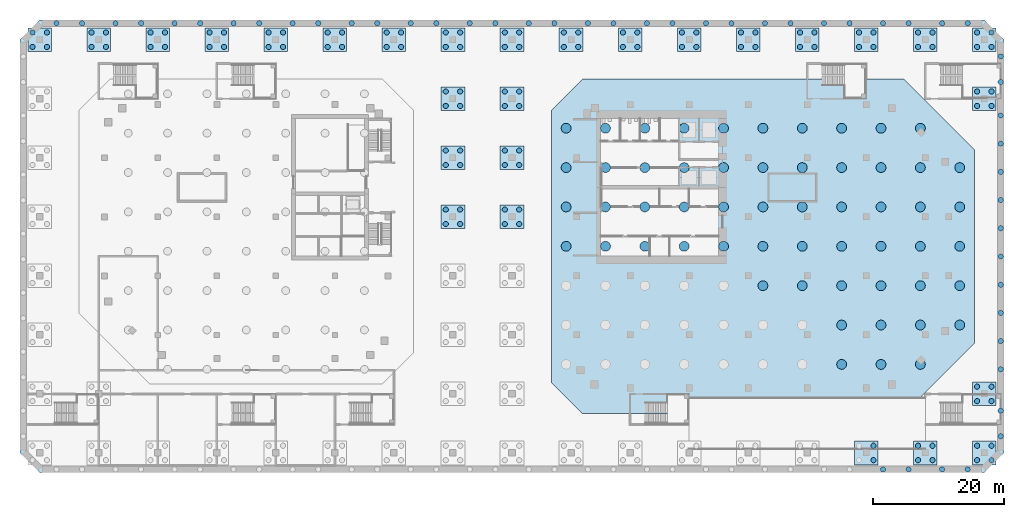
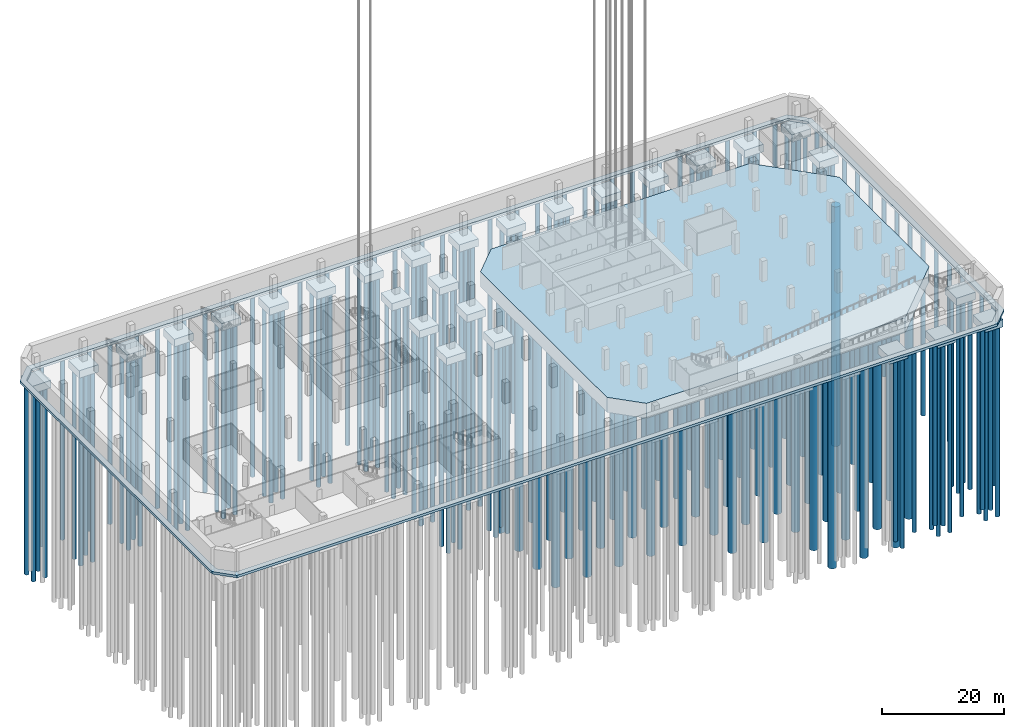
# One storey, part 2 of 30: 216 piles, 30 footings.
"""IFC4 building model written with IfcOpenShell, lengths in metres."""

from ifc_helpers import new_model, si_unit, direction, frame, origin, origin_2d, place, context, subcontext, project, spatial, polyline, circle, outline, extrude, material, layer, layer_set, type_object, element, save


model = new_model("IFC4")

# Units and contexts
model_context = context("Model", 3, precision=1e-05, world=origin(), true_north=direction((0.0, 1.0)))
body_context = subcontext(model_context, "Body", "Model", "MODEL_VIEW")
ifc_project = project(units=[si_unit("LENGTHUNIT", "METRE"), si_unit("AREAUNIT", "SQUARE_METRE"), si_unit("VOLUMEUNIT", "CUBIC_METRE"), si_unit("PLANEANGLEUNIT", "RADIAN"), si_unit("MASSUNIT", "GRAM", prefix="KILO")], contexts=[model_context])

# Site, building, storey
site_placement = place(None, origin())
site = spatial("IfcSite", under=ifc_project, at=site_placement, CompositionType="ELEMENT")
building_placement = place(site_placement, origin())
building = spatial("IfcBuilding", under=site, at=building_placement, Name="Cinnabar Reach Civic Tower", CompositionType="ELEMENT")
storey_placement = place(building_placement, frame((0.0, 0.0, -14.0)))
storey = spatial("IfcBuildingStorey", under=building, at=storey_placement, Name="B3", CompositionType="ELEMENT", Elevation=-14.0)

# Footing
ifc_material = material(Name="Concrete C40", Category="concrete")
ifc_layer_1 = layer(ifc_material, 0.5)
ifc_layer_set_1 = layer_set([ifc_layer_1], Name="Basement wall footing 1000")
footing_type_1 = type_object("IfcFootingType", Name="Basement wall footing 1000", PredefinedType="STRIP_FOOTING", material=ifc_layer_set_1)
footing_1_placement = place(storey_placement, frame((0.0, 0.0, -0.5)))
element("IfcFooting", 1, at=footing_1_placement, inside=storey, type_object=footing_type_1, Name="Basement wall strip footing", PredefinedType="STRIP_FOOTING", context=body_context, shape_type="SweptSolid", body=[
    extrude(outline(polyline([(-84.0, -9.0), (-84.0, 54.0), (-81.0, 57.0), (63.0, 57.0), (66.0, 54.0), (66.0, -9.0), (63.0, -12.0), (-81.0, -12.0), (-84.0, -9.0)]), holes=[polyline([(62.5858, -11.0), (65.0, -8.5858), (65.0, 53.5858), (62.5858, 56.0), (-80.5858, 56.0), (-83.0, 53.5858), (-83.0, -8.5858), (-80.5858, -11.0), (62.5858, -11.0)])]), origin(), (0.0, 0.0, 1.0), 0.5),
])

# Piles
pile_type_1 = type_object("IfcPileType", Name="Bored pile D1500", PredefinedType="BORED", material=ifc_material)
for number, where, z_axis, x_axis, name in (
    (2, (-0.75, 22.5, -3.0), (0.0, 0.0, -1.0), (1.0, 0.0, 0.0), "Raft pile T1 4"),
    (3, (-0.75, 28.5, -3.0), (0.0, 0.0, -1.0), (1.0, 0.0, 0.0), "Raft pile T1 5"),
    (4, (-0.75, 34.5, -3.0), (0.0, 0.0, -1.0), (1.0, 0.0, 0.0), "Raft pile T1 6"),
    (5, (-0.75, 40.5, -3.0), (0.0, 0.0, -1.0), (1.0, 0.0, 0.0), "Raft pile T1 7"),
    (6, (5.25, 22.5, -3.0), (0.0, 0.0, -1.0), (1.0, 0.0, 0.0), "Raft pile T1 11"),
    (7, (5.25, 28.5, -3.0), (0.0, 0.0, -1.0), (1.0, 0.0, 0.0), "Raft pile T1 12"),
    (8, (5.25, 34.5, -3.0), (0.0, 0.0, -1.0), (1.0, 0.0, 0.0), "Raft pile T1 13"),
    (9, (5.25, 40.5, -3.0), (0.0, 0.0, -1.0), (1.0, 0.0, 0.0), "Raft pile T1 14"),
    (10, (11.25, 22.5, -3.0), (0.0, 0.0, -1.0), (1.0, 0.0, 0.0), "Raft pile T1 18"),
    (11, (11.25, 28.5, -3.0), (0.0, 0.0, -1.0), (1.0, 0.0, 0.0), "Raft pile T1 19"),
    (12, (11.25, 34.5, -3.0), (0.0, 0.0, -1.0), (1.0, 0.0, 0.0), "Raft pile T1 20"),
    (13, (11.25, 40.5, -3.0), (0.0, 0.0, -1.0), (1.0, 0.0, 0.0), "Raft pile T1 21"),
    (14, (17.25, 22.5, -3.0), (0.0, 0.0, -1.0), (1.0, 0.0, 0.0), "Raft pile T1 25"),
    (15, (17.25, 28.5, -3.0), (0.0, 0.0, -1.0), (1.0, 0.0, 0.0), "Raft pile T1 26"),
    (16, (17.25, 34.5, -3.0), (0.0, 0.0, -1.0), (1.0, 0.0, 0.0), "Raft pile T1 27"),
    (17, (17.25, 40.5, -3.0), (0.0, 0.0, -1.0), (1.0, 0.0, 0.0), "Raft pile T1 28"),
    (18, (23.25, 22.5, -3.0), (0.0, 0.0, -1.0), (1.0, 0.0, 0.0), "Raft pile T1 32"),
    (19, (23.25, 28.5, -3.0), (0.0, 0.0, -1.0), (1.0, 0.0, 0.0), "Raft pile T1 33"),
    (20, (23.25, 34.5, -3.0), (0.0, 0.0, -1.0), (1.0, 0.0, 0.0), "Raft pile T1 34"),
    (21, (23.25, 40.5, -3.0), (0.0, 0.0, -1.0), (1.0, 0.0, 0.0), "Raft pile T1 35"),
    (22, (29.25, 16.5, -3.0), (0.0, 0.0, -1.0), (1.0, 0.0, 0.0), "Raft pile T1 38"),
    (23, (29.25, 22.5, -3.0), (0.0, 0.0, -1.0), (1.0, 0.0, 0.0), "Raft pile T1 39"),
    (24, (29.25, 28.5, -3.0), (0.0, 0.0, -1.0), (1.0, 0.0, 0.0), "Raft pile T1 40"),
    (25, (29.25, 34.5, -3.0), (0.0, 0.0, -1.0), (1.0, 0.0, 0.0), "Raft pile T1 41"),
    (26, (29.25, 40.5, -3.0), (0.0, 0.0, -1.0), (1.0, 0.0, 0.0), "Raft pile T1 42"),
    (27, (35.25, 16.5, -3.0), (0.0, 0.0, -1.0), (1.0, 0.0, 0.0), "Raft pile T1 45"),
    (28, (35.25, 22.5, -3.0), (0.0, 0.0, -1.0), (1.0, 0.0, 0.0), "Raft pile T1 46"),
    (29, (35.25, 28.5, -3.0), (0.0, 0.0, -1.0), (1.0, 0.0, 0.0), "Raft pile T1 47"),
    (30, (35.25, 34.5, -3.0), (0.0, 0.0, -1.0), (1.0, 0.0, 0.0), "Raft pile T1 48"),
    (31, (35.25, 40.5, -3.0), (0.0, 0.0, -1.0), (1.0, 0.0, 0.0), "Raft pile T1 49"),
    (32, (41.25, 4.5, -3.0), (0.0, 0.0, -1.0), (1.0, 0.0, 0.0), "Raft pile T1 50"),
    (33, (41.25, 10.5, -3.0), (0.0, 0.0, -1.0), (1.0, 0.0, 0.0), "Raft pile T1 51"),
    (34, (41.25, 16.5, -3.0), (0.0, 0.0, -1.0), (1.0, 0.0, 0.0), "Raft pile T1 52"),
    (35, (41.25, 22.5, -3.0), (0.0, 0.0, -1.0), (1.0, 0.0, 0.0), "Raft pile T1 53"),
    (36, (41.25, 28.5, -3.0), (0.0, 0.0, -1.0), (1.0, 0.0, 0.0), "Raft pile T1 54"),
    (37, (41.25, 34.5, -3.0), (0.0, 0.0, -1.0), (1.0, 0.0, 0.0), "Raft pile T1 55"),
    (38, (41.25, 40.5, -3.0), (0.0, 0.0, -1.0), (1.0, 0.0, 0.0), "Raft pile T1 56"),
    (39, (47.25, 4.5, -3.0), (0.0, 0.0, -1.0), (1.0, 0.0, 0.0), "Raft pile T1 57"),
    (40, (47.25, 10.5, -3.0), (0.0, 0.0, -1.0), (1.0, 0.0, 0.0), "Raft pile T1 58"),
    (41, (47.25, 16.5, -3.0), (0.0, 0.0, -1.0), (1.0, 0.0, 0.0), "Raft pile T1 59"),
    (42, (47.25, 22.5, -3.0), (0.0, 0.0, -1.0), (1.0, 0.0, 0.0), "Raft pile T1 60"),
    (43, (47.25, 28.5, -3.0), (0.0, 0.0, -1.0), (1.0, 0.0, 0.0), "Raft pile T1 61"),
    (44, (47.25, 34.5, -3.0), (0.0, 0.0, -1.0), (1.0, 0.0, 0.0), "Raft pile T1 62"),
    (45, (47.25, 40.5, -3.0), (0.0, 0.0, -1.0), (1.0, 0.0, 0.0), "Raft pile T1 63"),
    (46, (53.25, 4.5, -3.0), (0.0, 0.0, -1.0), (1.0, 0.0, 0.0), "Raft pile T1 64"),
    (47, (53.25, 10.5, -3.0), (0.0, 0.0, -1.0), (1.0, 0.0, 0.0), "Raft pile T1 65"),
    (48, (53.25, 16.5, -3.0), (0.0, 0.0, -1.0), (1.0, 0.0, 0.0), "Raft pile T1 66"),
    (49, (53.25, 22.5, -3.0), (0.0, 0.0, -1.0), (1.0, 0.0, 0.0), "Raft pile T1 67"),
    (50, (53.25, 28.5, -3.0), (0.0, 0.0, -1.0), (1.0, 0.0, 0.0), "Raft pile T1 68"),
    (51, (53.25, 34.5, -3.0), (0.0, 0.0, -1.0), (1.0, 0.0, 0.0), "Raft pile T1 69"),
    (52, (53.25, 40.5, -3.0), (0.0, 0.0, -1.0), (1.0, 0.0, 0.0), "Raft pile T1 70"),
    (53, (59.25, 10.5, -3.0), (0.0, 0.0, -1.0), (1.0, 0.0, 0.0), "Raft pile T1 71"),
    (54, (59.25, 16.5, -3.0), (0.0, 0.0, -1.0), (1.0, 0.0, 0.0), "Raft pile T1 72"),
    (55, (59.25, 22.5, -3.0), (0.0, 0.0, -1.0), (1.0, 0.0, 0.0), "Raft pile T1 73"),
    (56, (59.25, 28.5, -3.0), (0.0, 0.0, -1.0), (1.0, 0.0, 0.0), "Raft pile T1 74"),
    (57, (59.25, 34.5, -3.0), (0.0, 0.0, -1.0), (1.0, 0.0, 0.0), "Raft pile T1 75"),
):
    element("IfcPile", number, at=place(storey_placement, frame(where, z_axis=z_axis, x_axis=x_axis)), inside=storey, type_object=pile_type_1, Name=name, PredefinedType="BORED", context=body_context, shape_type="SweptSolid", body=[
        extrude(circle(Radius=0.75, at=origin_2d()), origin(), (0.0, 0.0, 1.0), 48.0),
    ])
pile_type_2 = type_object("IfcPileType", Name="Bored pile D800", PredefinedType="BORED", material=ifc_material)
for number, where, z_axis, x_axis, name in (
    (58, (-78.436, 56.5, -0.5), (0.0, 0.0, -1.0), (1.0, 0.0, 0.0), "Wall pile 4.1"),
    (59, (-74.536, 56.5, -0.5), (0.0, 0.0, -1.0), (1.0, 0.0, 0.0), "Wall pile 4.2"),
    (60, (-69.436, 56.5, -0.5), (0.0, 0.0, -1.0), (1.0, 0.0, 0.0), "Wall pile 4.3"),
    (61, (-65.536, 56.5, -0.5), (0.0, 0.0, -1.0), (1.0, 0.0, 0.0), "Wall pile 4.4"),
    (62, (-60.436, 56.5, -0.5), (0.0, 0.0, -1.0), (1.0, 0.0, 0.0), "Wall pile 4.5"),
    (63, (-56.536, 56.5, -0.5), (0.0, 0.0, -1.0), (1.0, 0.0, 0.0), "Wall pile 4.6"),
    (64, (-51.436, 56.5, -0.5), (0.0, 0.0, -1.0), (1.0, 0.0, 0.0), "Wall pile 4.7"),
    (65, (-47.536, 56.5, -0.5), (0.0, 0.0, -1.0), (1.0, 0.0, 0.0), "Wall pile 4.8"),
    (66, (-42.436, 56.5, -0.5), (0.0, 0.0, -1.0), (1.0, 0.0, 0.0), "Wall pile 4.9"),
    (67, (-38.536, 56.5, -0.5), (0.0, 0.0, -1.0), (1.0, 0.0, 0.0), "Wall pile 4.10"),
    (68, (-33.436, 56.5, -0.5), (0.0, 0.0, -1.0), (1.0, 0.0, 0.0), "Wall pile 4.11"),
    (69, (-29.536, 56.5, -0.5), (0.0, 0.0, -1.0), (1.0, 0.0, 0.0), "Wall pile 4.12"),
    (70, (-24.436, 56.5, -0.5), (0.0, 0.0, -1.0), (1.0, 0.0, 0.0), "Wall pile 4.13"),
    (71, (-20.536, 56.5, -0.5), (0.0, 0.0, -1.0), (1.0, 0.0, 0.0), "Wall pile 4.14"),
    (72, (-15.436, 56.5, -0.5), (0.0, 0.0, -1.0), (1.0, 0.0, 0.0), "Wall pile 4.15"),
    (73, (-11.536, 56.5, -0.5), (0.0, 0.0, -1.0), (1.0, 0.0, 0.0), "Wall pile 4.16"),
    (74, (-6.436, 56.5, -0.5), (0.0, 0.0, -1.0), (1.0, 0.0, 0.0), "Wall pile 4.17"),
    (75, (-2.536, 56.5, -0.5), (0.0, 0.0, -1.0), (1.0, 0.0, 0.0), "Wall pile 4.18"),
    (76, (2.564, 56.5, -0.5), (0.0, 0.0, -1.0), (1.0, 0.0, 0.0), "Wall pile 4.19"),
    (77, (6.464, 56.5, -0.5), (0.0, 0.0, -1.0), (1.0, 0.0, 0.0), "Wall pile 4.20"),
    (78, (11.564, 56.5, -0.5), (0.0, 0.0, -1.0), (1.0, 0.0, 0.0), "Wall pile 4.21"),
    (79, (15.464, 56.5, -0.5), (0.0, 0.0, -1.0), (1.0, 0.0, 0.0), "Wall pile 4.22"),
    (80, (20.564, 56.5, -0.5), (0.0, 0.0, -1.0), (1.0, 0.0, 0.0), "Wall pile 4.23"),
    (81, (24.464, 56.5, -0.5), (0.0, 0.0, -1.0), (1.0, 0.0, 0.0), "Wall pile 4.24"),
    (82, (29.564, 56.5, -0.5), (0.0, 0.0, -1.0), (1.0, 0.0, 0.0), "Wall pile 4.25"),
    (83, (33.464, 56.5, -0.5), (0.0, 0.0, -1.0), (1.0, 0.0, 0.0), "Wall pile 4.26"),
    (84, (38.564, 56.5, -0.5), (0.0, 0.0, -1.0), (1.0, 0.0, 0.0), "Wall pile 4.27"),
    (85, (42.464, 56.5, -0.5), (0.0, 0.0, -1.0), (1.0, 0.0, 0.0), "Wall pile 4.28"),
    (86, (47.564, 56.5, -0.5), (0.0, 0.0, -1.0), (1.0, 0.0, 0.0), "Wall pile 4.29"),
    (87, (51.464, 56.5, -0.5), (0.0, 0.0, -1.0), (1.0, 0.0, 0.0), "Wall pile 4.30"),
    (88, (56.564, 56.5, -0.5), (0.0, 0.0, -1.0), (1.0, 0.0, 0.0), "Wall pile 4.31"),
    (89, (60.464, 56.5, -0.5), (0.0, 0.0, -1.0), (1.0, 0.0, 0.0), "Wall pile 4.32"),
    (90, (65.5, 51.45, -0.5), (0.0, 0.0, -1.0), (1.0, 0.0, 0.0), "Wall pile 6.1"),
    (91, (65.5, 47.55, -0.5), (0.0, 0.0, -1.0), (1.0, 0.0, 0.0), "Wall pile 6.2"),
    (92, (65.5, 42.45, -0.5), (0.0, 0.0, -1.0), (1.0, 0.0, 0.0), "Wall pile 6.3"),
    (93, (65.5, 38.15, -0.5), (0.0, 0.0, -1.0), (1.0, 0.0, 0.0), "Wall pile 6.4"),
    (94, (65.5, 33.85, -0.5), (0.0, 0.0, -1.0), (1.0, 0.0, 0.0), "Wall pile 6.5"),
    (95, (65.5, 29.55, -0.5), (0.0, 0.0, -1.0), (1.0, 0.0, 0.0), "Wall pile 6.6"),
    (96, (65.5, 25.25, -0.5), (0.0, 0.0, -1.0), (1.0, 0.0, 0.0), "Wall pile 6.7"),
    (97, (65.5, 20.95, -0.5), (0.0, 0.0, -1.0), (1.0, 0.0, 0.0), "Wall pile 6.8"),
    (98, (65.5, 16.65, -0.5), (0.0, 0.0, -1.0), (1.0, 0.0, 0.0), "Wall pile 6.9"),
    (99, (65.5, 12.35, -0.5), (0.0, 0.0, -1.0), (1.0, 0.0, 0.0), "Wall pile 6.10"),
    (100, (65.5, 8.05, -0.5), (0.0, 0.0, -1.0), (1.0, 0.0, 0.0), "Wall pile 6.11"),
    (101, (65.5, 3.75, -0.5), (0.0, 0.0, -1.0), (1.0, 0.0, 0.0), "Wall pile 6.12"),
    (102, (65.5, -2.55, -0.5), (0.0, 0.0, -1.0), (1.0, 0.0, 0.0), "Wall pile 6.13"),
    (103, (65.5, -6.45, -0.5), (0.0, 0.0, -1.0), (1.0, 0.0, 0.0), "Wall pile 6.14"),
    (104, (60.464, -11.5, -0.5), (0.0, 0.0, -1.0), (1.0, 0.0, 0.0), "Wall pile 8.2"),
    (105, (56.564, -11.5, -0.5), (0.0, 0.0, -1.0), (1.0, 0.0, 0.0), "Wall pile 8.3"),
    (106, (51.464, -11.5, -0.5), (0.0, 0.0, -1.0), (1.0, 0.0, 0.0), "Wall pile 8.4"),
    (107, (47.564, -11.5, -0.5), (0.0, 0.0, -1.0), (1.0, 0.0, 0.0), "Wall pile 8.5"),
):
    element("IfcPile", number, at=place(storey_placement, frame(where, z_axis=z_axis, x_axis=x_axis)), inside=storey, type_object=pile_type_2, Name=name, PredefinedType="BORED", context=body_context, shape_type="SweptSolid", body=[
        extrude(circle(Radius=0.4, at=origin_2d()), origin(), (0.0, 0.0, 1.0), 36.0),
    ])
for number, where, z_axis, x_axis, name in (
    (108, (-82.1, 52.9, -2.0), (0.0, 0.0, -1.0), (1.0, 0.0, 0.0), "Pile -81/54.1"),
    (109, (-79.9, 52.9, -2.0), (0.0, 0.0, -1.0), (1.0, 0.0, 0.0), "Pile -81/54.2"),
    (110, (-79.9, 55.1, -2.0), (0.0, 0.0, -1.0), (1.0, 0.0, 0.0), "Pile -81/54.3"),
    (111, (-82.1, 55.1, -2.0), (0.0, 0.0, -1.0), (1.0, 0.0, 0.0), "Pile -81/54.4"),
    (112, (-73.1, 52.9, -2.0), (0.0, 0.0, -1.0), (1.0, 0.0, 0.0), "Pile -72/54.1"),
    (113, (-70.9, 52.9, -2.0), (0.0, 0.0, -1.0), (1.0, 0.0, 0.0), "Pile -72/54.2"),
    (114, (-70.9, 55.1, -2.0), (0.0, 0.0, -1.0), (1.0, 0.0, 0.0), "Pile -72/54.3"),
    (115, (-73.1, 55.1, -2.0), (0.0, 0.0, -1.0), (1.0, 0.0, 0.0), "Pile -72/54.4"),
    (116, (-64.1, 52.9, -2.0), (0.0, 0.0, -1.0), (1.0, 0.0, 0.0), "Pile -63/54.1"),
    (117, (-61.9, 52.9, -2.0), (0.0, 0.0, -1.0), (1.0, 0.0, 0.0), "Pile -63/54.2"),
    (118, (-61.9, 55.1, -2.0), (0.0, 0.0, -1.0), (1.0, 0.0, 0.0), "Pile -63/54.3"),
    (119, (-64.1, 55.1, -2.0), (0.0, 0.0, -1.0), (1.0, 0.0, 0.0), "Pile -63/54.4"),
    (120, (-55.1, 52.9, -2.0), (0.0, 0.0, -1.0), (1.0, 0.0, 0.0), "Pile -54/54.1"),
    (121, (-52.9, 52.9, -2.0), (0.0, 0.0, -1.0), (1.0, 0.0, 0.0), "Pile -54/54.2"),
    (122, (-52.9, 55.1, -2.0), (0.0, 0.0, -1.0), (1.0, 0.0, 0.0), "Pile -54/54.3"),
    (123, (-55.1, 55.1, -2.0), (0.0, 0.0, -1.0), (1.0, 0.0, 0.0), "Pile -54/54.4"),
    (124, (-46.1, 52.9, -2.0), (0.0, 0.0, -1.0), (1.0, 0.0, 0.0), "Pile -45/54.1"),
    (125, (-43.9, 52.9, -2.0), (0.0, 0.0, -1.0), (1.0, 0.0, 0.0), "Pile -45/54.2"),
    (126, (-43.9, 55.1, -2.0), (0.0, 0.0, -1.0), (1.0, 0.0, 0.0), "Pile -45/54.3"),
    (127, (-46.1, 55.1, -2.0), (0.0, 0.0, -1.0), (1.0, 0.0, 0.0), "Pile -45/54.4"),
    (128, (-37.1, 52.9, -2.0), (0.0, 0.0, -1.0), (1.0, 0.0, 0.0), "Pile -36/54.1"),
    (129, (-34.9, 52.9, -2.0), (0.0, 0.0, -1.0), (1.0, 0.0, 0.0), "Pile -36/54.2"),
    (130, (-34.9, 55.1, -2.0), (0.0, 0.0, -1.0), (1.0, 0.0, 0.0), "Pile -36/54.3"),
    (131, (-37.1, 55.1, -2.0), (0.0, 0.0, -1.0), (1.0, 0.0, 0.0), "Pile -36/54.4"),
    (132, (-28.1, 52.9, -2.0), (0.0, 0.0, -1.0), (1.0, 0.0, 0.0), "Pile -27/54.1"),
    (133, (-25.9, 52.9, -2.0), (0.0, 0.0, -1.0), (1.0, 0.0, 0.0), "Pile -27/54.2"),
    (134, (-25.9, 55.1, -2.0), (0.0, 0.0, -1.0), (1.0, 0.0, 0.0), "Pile -27/54.3"),
    (135, (-28.1, 55.1, -2.0), (0.0, 0.0, -1.0), (1.0, 0.0, 0.0), "Pile -27/54.4"),
    (136, (-19.1, 25.9, -2.0), (0.0, 0.0, -1.0), (1.0, 0.0, 0.0), "Pile -18/27.1"),
    (137, (-16.9, 25.9, -2.0), (0.0, 0.0, -1.0), (1.0, 0.0, 0.0), "Pile -18/27.2"),
    (138, (-16.9, 28.1, -2.0), (0.0, 0.0, -1.0), (1.0, 0.0, 0.0), "Pile -18/27.3"),
    (139, (-19.1, 28.1, -2.0), (0.0, 0.0, -1.0), (1.0, 0.0, 0.0), "Pile -18/27.4"),
    (140, (-19.1, 34.9, -2.0), (0.0, 0.0, -1.0), (1.0, 0.0, 0.0), "Pile -18/36.1"),
    (141, (-16.9, 34.9, -2.0), (0.0, 0.0, -1.0), (1.0, 0.0, 0.0), "Pile -18/36.2"),
    (142, (-16.9, 37.1, -2.0), (0.0, 0.0, -1.0), (1.0, 0.0, 0.0), "Pile -18/36.3"),
    (143, (-19.1, 37.1, -2.0), (0.0, 0.0, -1.0), (1.0, 0.0, 0.0), "Pile -18/36.4"),
    (144, (-19.1, 43.9, -2.0), (0.0, 0.0, -1.0), (1.0, 0.0, 0.0), "Pile -18/45.1"),
    (145, (-16.9, 43.9, -2.0), (0.0, 0.0, -1.0), (1.0, 0.0, 0.0), "Pile -18/45.2"),
    (146, (-16.9, 46.1, -2.0), (0.0, 0.0, -1.0), (1.0, 0.0, 0.0), "Pile -18/45.3"),
    (147, (-19.1, 46.1, -2.0), (0.0, 0.0, -1.0), (1.0, 0.0, 0.0), "Pile -18/45.4"),
    (148, (-19.1, 52.9, -2.0), (0.0, 0.0, -1.0), (1.0, 0.0, 0.0), "Pile -18/54.1"),
    (149, (-16.9, 52.9, -2.0), (0.0, 0.0, -1.0), (1.0, 0.0, 0.0), "Pile -18/54.2"),
    (150, (-16.9, 55.1, -2.0), (0.0, 0.0, -1.0), (1.0, 0.0, 0.0), "Pile -18/54.3"),
    (151, (-19.1, 55.1, -2.0), (0.0, 0.0, -1.0), (1.0, 0.0, 0.0), "Pile -18/54.4"),
    (152, (-10.1, 25.9, -2.0), (0.0, 0.0, -1.0), (1.0, 0.0, 0.0), "Pile -9/27.1"),
    (153, (-7.9, 25.9, -2.0), (0.0, 0.0, -1.0), (1.0, 0.0, 0.0), "Pile -9/27.2"),
    (154, (-7.9, 28.1, -2.0), (0.0, 0.0, -1.0), (1.0, 0.0, 0.0), "Pile -9/27.3"),
    (155, (-10.1, 28.1, -2.0), (0.0, 0.0, -1.0), (1.0, 0.0, 0.0), "Pile -9/27.4"),
    (156, (-10.1, 34.9, -2.0), (0.0, 0.0, -1.0), (1.0, 0.0, 0.0), "Pile -9/36.1"),
    (157, (-7.9, 34.9, -2.0), (0.0, 0.0, -1.0), (1.0, 0.0, 0.0), "Pile -9/36.2"),
    (158, (-7.9, 37.1, -2.0), (0.0, 0.0, -1.0), (1.0, 0.0, 0.0), "Pile -9/36.3"),
    (159, (-10.1, 37.1, -2.0), (0.0, 0.0, -1.0), (1.0, 0.0, 0.0), "Pile -9/36.4"),
    (160, (-10.1, 43.9, -2.0), (0.0, 0.0, -1.0), (1.0, 0.0, 0.0), "Pile -9/45.1"),
    (161, (-7.9, 43.9, -2.0), (0.0, 0.0, -1.0), (1.0, 0.0, 0.0), "Pile -9/45.2"),
    (162, (-7.9, 46.1, -2.0), (0.0, 0.0, -1.0), (1.0, 0.0, 0.0), "Pile -9/45.3"),
    (163, (-10.1, 46.1, -2.0), (0.0, 0.0, -1.0), (1.0, 0.0, 0.0), "Pile -9/45.4"),
    (164, (-10.1, 52.9, -2.0), (0.0, 0.0, -1.0), (1.0, 0.0, 0.0), "Pile -9/54.1"),
    (165, (-7.9, 52.9, -2.0), (0.0, 0.0, -1.0), (1.0, 0.0, 0.0), "Pile -9/54.2"),
    (166, (-7.9, 55.1, -2.0), (0.0, 0.0, -1.0), (1.0, 0.0, 0.0), "Pile -9/54.3"),
    (167, (-10.1, 55.1, -2.0), (0.0, 0.0, -1.0), (1.0, 0.0, 0.0), "Pile -9/54.4"),
    (168, (-1.1, 52.9, -2.0), (0.0, 0.0, -1.0), (1.0, 0.0, 0.0), "Pile 0/54.1"),
    (169, (1.1, 52.9, -2.0), (0.0, 0.0, -1.0), (1.0, 0.0, 0.0), "Pile 0/54.2"),
    (170, (1.1, 55.1, -2.0), (0.0, 0.0, -1.0), (1.0, 0.0, 0.0), "Pile 0/54.3"),
    (171, (-1.1, 55.1, -2.0), (0.0, 0.0, -1.0), (1.0, 0.0, 0.0), "Pile 0/54.4"),
    (172, (7.9, 52.9, -2.0), (0.0, 0.0, -1.0), (1.0, 0.0, 0.0), "Pile 9/54.1"),
    (173, (10.1, 52.9, -2.0), (0.0, 0.0, -1.0), (1.0, 0.0, 0.0), "Pile 9/54.2"),
    (174, (10.1, 55.1, -2.0), (0.0, 0.0, -1.0), (1.0, 0.0, 0.0), "Pile 9/54.3"),
    (175, (7.9, 55.1, -2.0), (0.0, 0.0, -1.0), (1.0, 0.0, 0.0), "Pile 9/54.4"),
    (176, (16.9, 52.9, -2.0), (0.0, 0.0, -1.0), (1.0, 0.0, 0.0), "Pile 18/54.1"),
    (177, (19.1, 52.9, -2.0), (0.0, 0.0, -1.0), (1.0, 0.0, 0.0), "Pile 18/54.2"),
    (178, (19.1, 55.1, -2.0), (0.0, 0.0, -1.0), (1.0, 0.0, 0.0), "Pile 18/54.3"),
    (179, (16.9, 55.1, -2.0), (0.0, 0.0, -1.0), (1.0, 0.0, 0.0), "Pile 18/54.4"),
    (180, (25.9, 52.9, -2.0), (0.0, 0.0, -1.0), (1.0, 0.0, 0.0), "Pile 27/54.1"),
    (181, (28.1, 52.9, -2.0), (0.0, 0.0, -1.0), (1.0, 0.0, 0.0), "Pile 27/54.2"),
    (182, (28.1, 55.1, -2.0), (0.0, 0.0, -1.0), (1.0, 0.0, 0.0), "Pile 27/54.3"),
    (183, (25.9, 55.1, -2.0), (0.0, 0.0, -1.0), (1.0, 0.0, 0.0), "Pile 27/54.4"),
    (184, (34.9, 52.9, -2.0), (0.0, 0.0, -1.0), (1.0, 0.0, 0.0), "Pile 36/54.1"),
    (185, (37.1, 52.9, -2.0), (0.0, 0.0, -1.0), (1.0, 0.0, 0.0), "Pile 36/54.2"),
    (186, (37.1, 55.1, -2.0), (0.0, 0.0, -1.0), (1.0, 0.0, 0.0), "Pile 36/54.3"),
    (187, (34.9, 55.1, -2.0), (0.0, 0.0, -1.0), (1.0, 0.0, 0.0), "Pile 36/54.4"),
    (188, (46.1, -10.1, -2.0), (0.0, 0.0, -1.0), (1.0, 0.0, 0.0), "Pile 45/-9.2"),
    (189, (46.1, -7.9, -2.0), (0.0, 0.0, -1.0), (1.0, 0.0, 0.0), "Pile 45/-9.3"),
    (190, (43.9, 52.9, -2.0), (0.0, 0.0, -1.0), (1.0, 0.0, 0.0), "Pile 45/54.1"),
    (191, (46.1, 52.9, -2.0), (0.0, 0.0, -1.0), (1.0, 0.0, 0.0), "Pile 45/54.2"),
    (192, (46.1, 55.1, -2.0), (0.0, 0.0, -1.0), (1.0, 0.0, 0.0), "Pile 45/54.3"),
    (193, (43.9, 55.1, -2.0), (0.0, 0.0, -1.0), (1.0, 0.0, 0.0), "Pile 45/54.4"),
    (194, (52.9, -10.1, -2.0), (0.0, 0.0, -1.0), (1.0, 0.0, 0.0), "Pile 54/-9.1"),
    (195, (55.1, -10.1, -2.0), (0.0, 0.0, -1.0), (1.0, 0.0, 0.0), "Pile 54/-9.2"),
    (196, (55.1, -7.9, -2.0), (0.0, 0.0, -1.0), (1.0, 0.0, 0.0), "Pile 54/-9.3"),
    (197, (52.9, -7.9, -2.0), (0.0, 0.0, -1.0), (1.0, 0.0, 0.0), "Pile 54/-9.4"),
    (198, (52.9, 52.9, -2.0), (0.0, 0.0, -1.0), (1.0, 0.0, 0.0), "Pile 54/54.1"),
    (199, (55.1, 52.9, -2.0), (0.0, 0.0, -1.0), (1.0, 0.0, 0.0), "Pile 54/54.2"),
    (200, (55.1, 55.1, -2.0), (0.0, 0.0, -1.0), (1.0, 0.0, 0.0), "Pile 54/54.3"),
    (201, (52.9, 55.1, -2.0), (0.0, 0.0, -1.0), (1.0, 0.0, 0.0), "Pile 54/54.4"),
    (202, (61.9, -10.1, -2.0), (0.0, 0.0, -1.0), (1.0, 0.0, 0.0), "Pile 63/-9.1"),
    (203, (64.1, -10.1, -2.0), (0.0, 0.0, -1.0), (1.0, 0.0, 0.0), "Pile 63/-9.2"),
    (204, (64.1, -7.9, -2.0), (0.0, 0.0, -1.0), (1.0, 0.0, 0.0), "Pile 63/-9.3"),
    (205, (61.9, -7.9, -2.0), (0.0, 0.0, -1.0), (1.0, 0.0, 0.0), "Pile 63/-9.4"),
    (206, (61.9, -1.1, -2.0), (0.0, 0.0, -1.0), (1.0, 0.0, 0.0), "Pile 63/0.1"),
    (207, (64.1, -1.1, -2.0), (0.0, 0.0, -1.0), (1.0, 0.0, 0.0), "Pile 63/0.2"),
    (208, (64.1, 1.1, -2.0), (0.0, 0.0, -1.0), (1.0, 0.0, 0.0), "Pile 63/0.3"),
    (209, (61.9, 1.1, -2.0), (0.0, 0.0, -1.0), (1.0, 0.0, 0.0), "Pile 63/0.4"),
    (210, (61.9, 43.9, -2.0), (0.0, 0.0, -1.0), (1.0, 0.0, 0.0), "Pile 63/45.1"),
    (211, (64.1, 43.9, -2.0), (0.0, 0.0, -1.0), (1.0, 0.0, 0.0), "Pile 63/45.2"),
    (212, (64.1, 46.1, -2.0), (0.0, 0.0, -1.0), (1.0, 0.0, 0.0), "Pile 63/45.3"),
    (213, (61.9, 46.1, -2.0), (0.0, 0.0, -1.0), (1.0, 0.0, 0.0), "Pile 63/45.4"),
    (214, (61.9, 52.9, -2.0), (0.0, 0.0, -1.0), (1.0, 0.0, 0.0), "Pile 63/54.1"),
    (215, (64.1, 52.9, -2.0), (0.0, 0.0, -1.0), (1.0, 0.0, 0.0), "Pile 63/54.2"),
    (216, (64.1, 55.1, -2.0), (0.0, 0.0, -1.0), (1.0, 0.0, 0.0), "Pile 63/54.3"),
    (217, (61.9, 55.1, -2.0), (0.0, 0.0, -1.0), (1.0, 0.0, 0.0), "Pile 63/54.4"),
):
    element("IfcPile", number, at=place(storey_placement, frame(where, z_axis=z_axis, x_axis=x_axis)), inside=storey, type_object=pile_type_2, Name=name, PredefinedType="BORED", context=body_context, shape_type="SweptSolid", body=[
        extrude(circle(Radius=0.4, at=origin_2d()), origin(), (0.0, 0.0, 1.0), 38.0),
    ])

# Footings
ifc_layer_2 = layer(ifc_material, 1.0)
ifc_layer_set_2 = layer_set([ifc_layer_2], Name="Pile cap 3600")
footing_type_2 = type_object("IfcFootingType", Name="Pile cap 3600", PredefinedType="PILE_CAP", material=ifc_layer_set_2)
footing_2_placement = place(storey_placement, frame((0.0, 0.0, -2.0)))
element("IfcFooting", 218, at=footing_2_placement, inside=storey, type_object=footing_type_2, Name="Pile cap -81/54", PredefinedType="PILE_CAP", context=body_context, shape_type="SweptSolid", body=[
    extrude(outline(polyline([(-82.8, 52.2), (-79.2, 52.2), (-79.2, 55.8), (-82.8, 55.8), (-82.8, 52.2)])), origin(), (0.0, 0.0, 1.0), 1.5),
])
footing_3_placement = place(storey_placement, frame((0.0, 0.0, -2.0)))
element("IfcFooting", 219, at=footing_3_placement, inside=storey, type_object=footing_type_2, Name="Pile cap -72/54", PredefinedType="PILE_CAP", context=body_context, shape_type="SweptSolid", body=[
    extrude(outline(polyline([(-73.8, 52.2), (-70.2, 52.2), (-70.2, 55.8), (-73.8, 55.8), (-73.8, 52.2)])), origin(), (0.0, 0.0, 1.0), 1.5),
])
footing_4_placement = place(storey_placement, frame((0.0, 0.0, -2.0)))
element("IfcFooting", 220, at=footing_4_placement, inside=storey, type_object=footing_type_2, Name="Pile cap -63/54", PredefinedType="PILE_CAP", context=body_context, shape_type="SweptSolid", body=[
    extrude(outline(polyline([(-64.8, 52.2), (-61.2, 52.2), (-61.2, 55.8), (-64.8, 55.8), (-64.8, 52.2)])), origin(), (0.0, 0.0, 1.0), 1.5),
])
footing_5_placement = place(storey_placement, frame((0.0, 0.0, -2.0)))
element("IfcFooting", 221, at=footing_5_placement, inside=storey, type_object=footing_type_2, Name="Pile cap -54/54", PredefinedType="PILE_CAP", context=body_context, shape_type="SweptSolid", body=[
    extrude(outline(polyline([(-55.8, 52.2), (-52.2, 52.2), (-52.2, 55.8), (-55.8, 55.8), (-55.8, 52.2)])), origin(), (0.0, 0.0, 1.0), 1.5),
])
footing_6_placement = place(storey_placement, frame((0.0, 0.0, -2.0)))
element("IfcFooting", 222, at=footing_6_placement, inside=storey, type_object=footing_type_2, Name="Pile cap -45/54", PredefinedType="PILE_CAP", context=body_context, shape_type="SweptSolid", body=[
    extrude(outline(polyline([(-46.8, 52.2), (-43.2, 52.2), (-43.2, 55.8), (-46.8, 55.8), (-46.8, 52.2)])), origin(), (0.0, 0.0, 1.0), 1.5),
])
footing_7_placement = place(storey_placement, frame((0.0, 0.0, -2.0)))
element("IfcFooting", 223, at=footing_7_placement, inside=storey, type_object=footing_type_2, Name="Pile cap -36/54", PredefinedType="PILE_CAP", context=body_context, shape_type="SweptSolid", body=[
    extrude(outline(polyline([(-37.8, 52.2), (-34.2, 52.2), (-34.2, 55.8), (-37.8, 55.8), (-37.8, 52.2)])), origin(), (0.0, 0.0, 1.0), 1.5),
])
footing_8_placement = place(storey_placement, frame((0.0, 0.0, -2.0)))
element("IfcFooting", 224, at=footing_8_placement, inside=storey, type_object=footing_type_2, Name="Pile cap -27/54", PredefinedType="PILE_CAP", context=body_context, shape_type="SweptSolid", body=[
    extrude(outline(polyline([(-28.8, 52.2), (-25.2, 52.2), (-25.2, 55.8), (-28.8, 55.8), (-28.8, 52.2)])), origin(), (0.0, 0.0, 1.0), 1.5),
])
footing_9_placement = place(storey_placement, frame((0.0, 0.0, -2.0)))
element("IfcFooting", 225, at=footing_9_placement, inside=storey, type_object=footing_type_2, Name="Pile cap -18/27", PredefinedType="PILE_CAP", context=body_context, shape_type="SweptSolid", body=[
    extrude(outline(polyline([(-19.8, 25.2), (-16.2, 25.2), (-16.2, 28.8), (-19.8, 28.8), (-19.8, 25.2)])), origin(), (0.0, 0.0, 1.0), 1.5),
])
footing_10_placement = place(storey_placement, frame((0.0, 0.0, -2.0)))
element("IfcFooting", 226, at=footing_10_placement, inside=storey, type_object=footing_type_2, Name="Pile cap -18/36", PredefinedType="PILE_CAP", context=body_context, shape_type="SweptSolid", body=[
    extrude(outline(polyline([(-19.8, 34.2), (-16.2, 34.2), (-16.2, 37.8), (-19.8, 37.8), (-19.8, 34.2)])), origin(), (0.0, 0.0, 1.0), 1.5),
])
footing_11_placement = place(storey_placement, frame((0.0, 0.0, -2.0)))
element("IfcFooting", 227, at=footing_11_placement, inside=storey, type_object=footing_type_2, Name="Pile cap -18/45", PredefinedType="PILE_CAP", context=body_context, shape_type="SweptSolid", body=[
    extrude(outline(polyline([(-19.8, 43.2), (-16.2, 43.2), (-16.2, 46.8), (-19.8, 46.8), (-19.8, 43.2)])), origin(), (0.0, 0.0, 1.0), 1.5),
])
footing_12_placement = place(storey_placement, frame((0.0, 0.0, -2.0)))
element("IfcFooting", 228, at=footing_12_placement, inside=storey, type_object=footing_type_2, Name="Pile cap -18/54", PredefinedType="PILE_CAP", context=body_context, shape_type="SweptSolid", body=[
    extrude(outline(polyline([(-19.8, 52.2), (-16.2, 52.2), (-16.2, 55.8), (-19.8, 55.8), (-19.8, 52.2)])), origin(), (0.0, 0.0, 1.0), 1.5),
])
footing_13_placement = place(storey_placement, frame((0.0, 0.0, -2.0)))
element("IfcFooting", 229, at=footing_13_placement, inside=storey, type_object=footing_type_2, Name="Pile cap -9/27", PredefinedType="PILE_CAP", context=body_context, shape_type="SweptSolid", body=[
    extrude(outline(polyline([(-10.8, 25.2), (-7.2, 25.2), (-7.2, 28.8), (-10.8, 28.8), (-10.8, 25.2)])), origin(), (0.0, 0.0, 1.0), 1.5),
])
footing_14_placement = place(storey_placement, frame((0.0, 0.0, -2.0)))
element("IfcFooting", 230, at=footing_14_placement, inside=storey, type_object=footing_type_2, Name="Pile cap -9/36", PredefinedType="PILE_CAP", context=body_context, shape_type="SweptSolid", body=[
    extrude(outline(polyline([(-10.8, 34.2), (-7.2, 34.2), (-7.2, 37.8), (-10.8, 37.8), (-10.8, 34.2)])), origin(), (0.0, 0.0, 1.0), 1.5),
])
footing_15_placement = place(storey_placement, frame((0.0, 0.0, -2.0)))
element("IfcFooting", 231, at=footing_15_placement, inside=storey, type_object=footing_type_2, Name="Pile cap -9/45", PredefinedType="PILE_CAP", context=body_context, shape_type="SweptSolid", body=[
    extrude(outline(polyline([(-10.8, 43.2), (-7.2, 43.2), (-7.2, 46.8), (-10.8, 46.8), (-10.8, 43.2)])), origin(), (0.0, 0.0, 1.0), 1.5),
])
footing_16_placement = place(storey_placement, frame((0.0, 0.0, -2.0)))
element("IfcFooting", 232, at=footing_16_placement, inside=storey, type_object=footing_type_2, Name="Pile cap -9/54", PredefinedType="PILE_CAP", context=body_context, shape_type="SweptSolid", body=[
    extrude(outline(polyline([(-10.8, 52.2), (-7.2, 52.2), (-7.2, 55.8), (-10.8, 55.8), (-10.8, 52.2)])), origin(), (0.0, 0.0, 1.0), 1.5),
])
footing_17_placement = place(storey_placement, frame((0.0, 0.0, -2.0)))
element("IfcFooting", 233, at=footing_17_placement, inside=storey, type_object=footing_type_2, Name="Pile cap 0/54", PredefinedType="PILE_CAP", context=body_context, shape_type="SweptSolid", body=[
    extrude(outline(polyline([(-1.8, 52.2), (1.8, 52.2), (1.8, 55.8), (-1.8, 55.8), (-1.8, 52.2)])), origin(), (0.0, 0.0, 1.0), 1.5),
])
footing_18_placement = place(storey_placement, frame((0.0, 0.0, -2.0)))
element("IfcFooting", 234, at=footing_18_placement, inside=storey, type_object=footing_type_2, Name="Pile cap 9/54", PredefinedType="PILE_CAP", context=body_context, shape_type="SweptSolid", body=[
    extrude(outline(polyline([(7.2, 52.2), (10.8, 52.2), (10.8, 55.8), (7.2, 55.8), (7.2, 52.2)])), origin(), (0.0, 0.0, 1.0), 1.5),
])
footing_19_placement = place(storey_placement, frame((0.0, 0.0, -2.0)))
element("IfcFooting", 235, at=footing_19_placement, inside=storey, type_object=footing_type_2, Name="Pile cap 18/54", PredefinedType="PILE_CAP", context=body_context, shape_type="SweptSolid", body=[
    extrude(outline(polyline([(16.2, 52.2), (19.8, 52.2), (19.8, 55.8), (16.2, 55.8), (16.2, 52.2)])), origin(), (0.0, 0.0, 1.0), 1.5),
])
footing_20_placement = place(storey_placement, frame((0.0, 0.0, -2.0)))
element("IfcFooting", 236, at=footing_20_placement, inside=storey, type_object=footing_type_2, Name="Pile cap 27/54", PredefinedType="PILE_CAP", context=body_context, shape_type="SweptSolid", body=[
    extrude(outline(polyline([(25.2, 52.2), (28.8, 52.2), (28.8, 55.8), (25.2, 55.8), (25.2, 52.2)])), origin(), (0.0, 0.0, 1.0), 1.5),
])
footing_21_placement = place(storey_placement, frame((0.0, 0.0, -2.0)))
element("IfcFooting", 237, at=footing_21_placement, inside=storey, type_object=footing_type_2, Name="Pile cap 36/54", PredefinedType="PILE_CAP", context=body_context, shape_type="SweptSolid", body=[
    extrude(outline(polyline([(34.2, 52.2), (37.8, 52.2), (37.8, 55.8), (34.2, 55.8), (34.2, 52.2)])), origin(), (0.0, 0.0, 1.0), 1.5),
])
footing_22_placement = place(storey_placement, frame((0.0, 0.0, -2.0)))
element("IfcFooting", 238, at=footing_22_placement, inside=storey, type_object=footing_type_2, Name="Pile cap 45/-9", PredefinedType="PILE_CAP", context=body_context, shape_type="SweptSolid", body=[
    extrude(outline(polyline([(43.2, -10.8), (46.8, -10.8), (46.8, -7.2), (43.2, -7.2), (43.2, -10.8)])), origin(), (0.0, 0.0, 1.0), 1.5),
])
footing_23_placement = place(storey_placement, frame((0.0, 0.0, -2.0)))
element("IfcFooting", 239, at=footing_23_placement, inside=storey, type_object=footing_type_2, Name="Pile cap 45/54", PredefinedType="PILE_CAP", context=body_context, shape_type="SweptSolid", body=[
    extrude(outline(polyline([(43.2, 52.2), (46.8, 52.2), (46.8, 55.8), (43.2, 55.8), (43.2, 52.2)])), origin(), (0.0, 0.0, 1.0), 1.5),
])
footing_24_placement = place(storey_placement, frame((0.0, 0.0, -2.0)))
element("IfcFooting", 240, at=footing_24_placement, inside=storey, type_object=footing_type_2, Name="Pile cap 54/-9", PredefinedType="PILE_CAP", context=body_context, shape_type="SweptSolid", body=[
    extrude(outline(polyline([(52.2, -10.8), (55.8, -10.8), (55.8, -7.2), (52.2, -7.2), (52.2, -10.8)])), origin(), (0.0, 0.0, 1.0), 1.5),
])
footing_25_placement = place(storey_placement, frame((0.0, 0.0, -2.0)))
element("IfcFooting", 241, at=footing_25_placement, inside=storey, type_object=footing_type_2, Name="Pile cap 54/54", PredefinedType="PILE_CAP", context=body_context, shape_type="SweptSolid", body=[
    extrude(outline(polyline([(52.2, 52.2), (55.8, 52.2), (55.8, 55.8), (52.2, 55.8), (52.2, 52.2)])), origin(), (0.0, 0.0, 1.0), 1.5),
])
footing_26_placement = place(storey_placement, frame((0.0, 0.0, -2.0)))
element("IfcFooting", 242, at=footing_26_placement, inside=storey, type_object=footing_type_2, Name="Pile cap 63/-9", PredefinedType="PILE_CAP", context=body_context, shape_type="SweptSolid", body=[
    extrude(outline(polyline([(61.2, -10.8), (64.8, -10.8), (64.8, -7.2), (61.2, -7.2), (61.2, -10.8)])), origin(), (0.0, 0.0, 1.0), 1.5),
])
footing_27_placement = place(storey_placement, frame((0.0, 0.0, -2.0)))
element("IfcFooting", 243, at=footing_27_placement, inside=storey, type_object=footing_type_2, Name="Pile cap 63/0", PredefinedType="PILE_CAP", context=body_context, shape_type="SweptSolid", body=[
    extrude(outline(polyline([(61.2, -1.8), (64.8, -1.8), (64.8, 1.8), (61.2, 1.8), (61.2, -1.8)])), origin(), (0.0, 0.0, 1.0), 1.5),
])
footing_28_placement = place(storey_placement, frame((0.0, 0.0, -2.0)))
element("IfcFooting", 244, at=footing_28_placement, inside=storey, type_object=footing_type_2, Name="Pile cap 63/45", PredefinedType="PILE_CAP", context=body_context, shape_type="SweptSolid", body=[
    extrude(outline(polyline([(61.2, 43.2), (64.8, 43.2), (64.8, 46.8), (61.2, 46.8), (61.2, 43.2)])), origin(), (0.0, 0.0, 1.0), 1.5),
])
footing_29_placement = place(storey_placement, frame((0.0, 0.0, -2.0)))
element("IfcFooting", 245, at=footing_29_placement, inside=storey, type_object=footing_type_2, Name="Pile cap 63/54", PredefinedType="PILE_CAP", context=body_context, shape_type="SweptSolid", body=[
    extrude(outline(polyline([(61.2, 52.2), (64.8, 52.2), (64.8, 55.8), (61.2, 55.8), (61.2, 52.2)])), origin(), (0.0, 0.0, 1.0), 1.5),
])
ifc_layer_3 = layer(ifc_material, 1.0)
ifc_layer_set_3 = layer_set([ifc_layer_3], Name="Piled raft cap 3000")
footing_type_3 = type_object("IfcFootingType", Name="Piled raft cap 3000", PredefinedType="PILE_CAP", material=ifc_layer_set_3)
footing_30_placement = place(storey_placement, frame((0.0, 0.0, -3.0)))
element("IfcFooting", 246, at=footing_30_placement, inside=storey, type_object=footing_type_3, Name="Piled raft T1", PredefinedType="PILE_CAP", context=body_context, shape_type="SweptSolid", body=[
    extrude(outline(polyline([(1.7574, -3.0), (-3.0, 1.7574), (-3.0, 43.2426), (1.7574, 48.0), (50.7426, 48.0), (61.5, 37.2426), (61.5, 7.7574), (50.7426, -3.0), (1.7574, -3.0)])), origin(), (0.0, 0.0, 1.0), 3.0),
])

save(model, "model.ifc")
